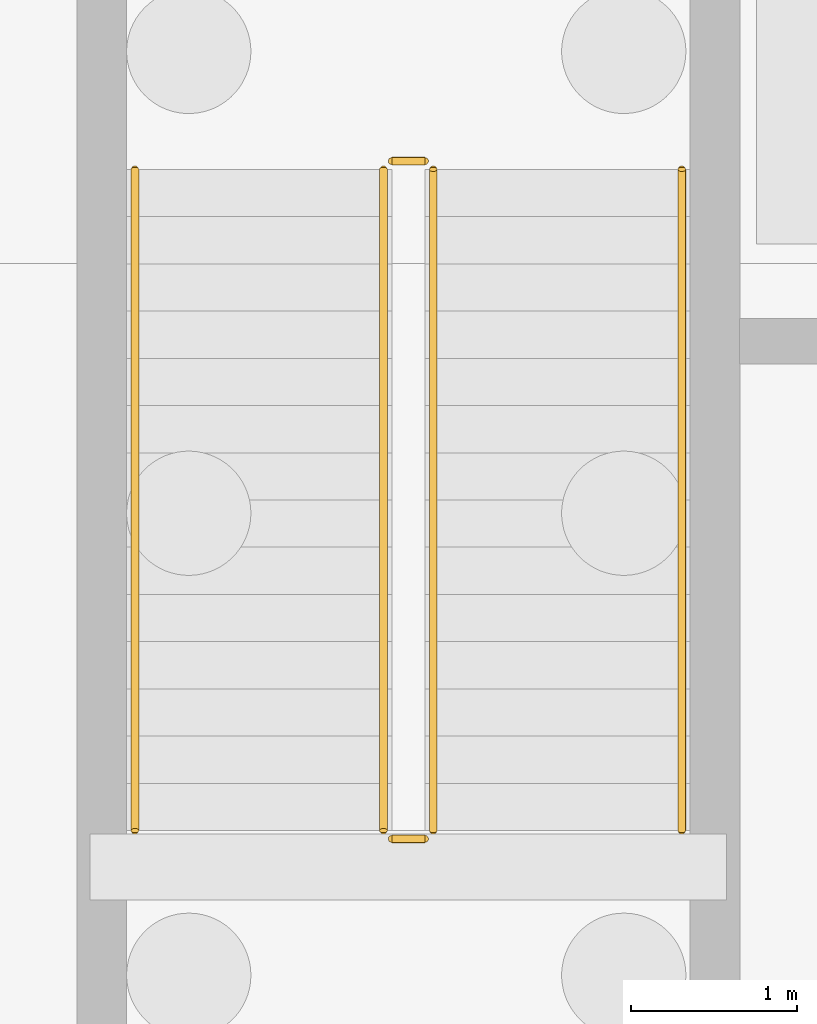
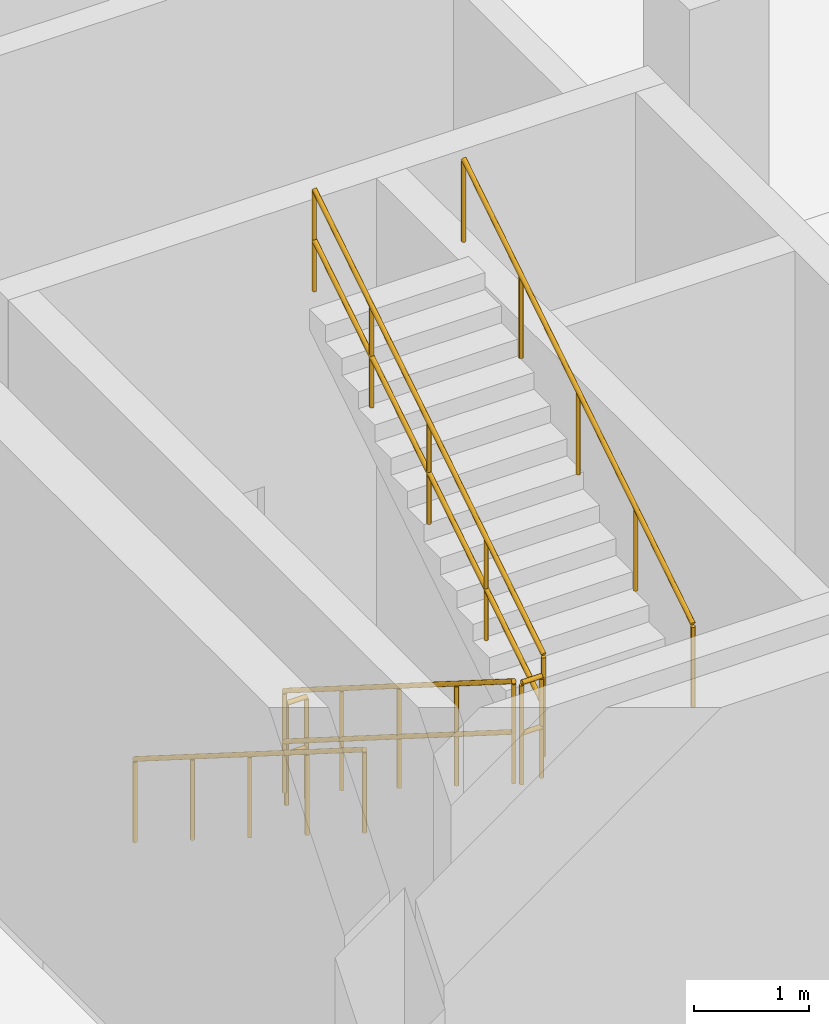
# One storey, part 16 of 18: 6 railings.
"""IFC4 building model written with IfcOpenShell, lengths in metres."""

from ifc_helpers import new_model, si_unit, direction, frame, origin, origin_2d, place, context, subcontext, project, spatial, circle, extrude, material, type_object, element, save


model = new_model("IFC4")

# Units and contexts
model_context = context("Model", 3, precision=1e-05, world=origin(), true_north=direction((0.0, 1.0)))
body_context = subcontext(model_context, "Body", "Model", "MODEL_VIEW")
ifc_project = project(units=[si_unit("LENGTHUNIT", "METRE"), si_unit("AREAUNIT", "SQUARE_METRE"), si_unit("VOLUMEUNIT", "CUBIC_METRE"), si_unit("PLANEANGLEUNIT", "RADIAN"), si_unit("MASSUNIT", "GRAM", prefix="KILO")], contexts=[model_context])

# Site, building, storey
site_placement = place(None, origin())
site = spatial("IfcSite", under=ifc_project, at=site_placement, CompositionType="ELEMENT")
building_placement = place(site_placement, origin())
building = spatial("IfcBuilding", under=site, at=building_placement, Name="Khurvash Pelagic Aquarium", CompositionType="ELEMENT")
storey_placement = place(building_placement, frame((0.0, 0.0, -5.39990234375)))
storey = spatial("IfcBuildingStorey", under=building, at=storey_placement, Name="B1", CompositionType="ELEMENT", Elevation=-5.39990234375)

# Railings
ifc_material_1 = material(Name="Powder-coated galvanised steel S355J2", Category="steel")
railing_type_1 = type_object("IfcRailingType", Name="GR-01", PredefinedType="GUARDRAIL", material=ifc_material_1)
railing_1_placement = place(storey_placement, frame((19.550048828125, 72.550048828125, 0.179931640625)))
element("IfcRailing", 1, at=railing_1_placement, inside=storey, type_object=railing_type_1, Name="B1 ST-05 stair guard 1", PredefinedType="GUARDRAIL", context=body_context, shape_type="SweptSolid", body=[
    extrude(circle(Radius=0.02392578125, at=origin_2d()), frame((0.0, 0.0, 1.076171875), z_axis=(0.0, -0.845486444383, 0.533996884227), x_axis=(1.0, 0.0, 0.0)), (0.0, 0.0, 1.0), 4.71923828125),
    extrude(circle(Radius=0.02392578125, at=origin_2d()), frame((0.0, 0.0, 0.5380859375), z_axis=(0.0, -0.845486444383, 0.533996884227), x_axis=(1.0, 0.0, 0.0)), (0.0, 0.0, 1.0), 4.71923828125),
    extrude(circle(Radius=0.02099609375, at=origin_2d()), origin(), (0.0, 0.0, 1.0), 1.052001953125),
    extrude(circle(Radius=0.02099609375, at=origin_2d()), frame((0.0, -0.99755859375, 0.6298828125)), (0.0, 0.0, 1.0), 1.052001953125),
    extrude(circle(Radius=0.02099609375, at=origin_2d()), frame((0.0, -1.9951171875, 1.260009765625)), (0.0, 0.0, 1.0), 1.052001953125),
    extrude(circle(Radius=0.02099609375, at=origin_2d()), frame((0.0, -2.992431640625, 1.89013671875)), (0.0, 0.0, 1.0), 1.052001953125),
    extrude(circle(Radius=0.02099609375, at=origin_2d()), frame((0.0, -3.989990234375, 2.52001953125)), (0.0, 0.0, 1.0), 1.052001953125),
])
railing_2_placement = place(storey_placement, frame((19.60009765625, 68.510009765625, 2.699951171875)))
element("IfcRailing", 2, at=railing_2_placement, inside=storey, type_object=railing_type_1, Name="B1 ST-05 stair guard 2", PredefinedType="GUARDRAIL", context=body_context, shape_type="SweptSolid", body=[
    extrude(circle(Radius=0.02392578125, at=origin_2d()), frame((0.0, 0.0, 1.076171875), z_axis=(1.0, 0.0, 0.0), x_axis=(0.0, 1.0, 0.0)), (0.0, 0.0, 1.0), 0.199951171875),
    extrude(circle(Radius=0.02392578125, at=origin_2d()), frame((0.0, 0.0, 0.5380859375), z_axis=(1.0, 0.0, 0.0), x_axis=(0.0, 1.0, 0.0)), (0.0, 0.0, 1.0), 0.199951171875),
    extrude(circle(Radius=0.02099609375, at=origin_2d()), origin(), (0.0, 0.0, 1.0), 1.052001953125),
    extrude(circle(Radius=0.02099609375, at=origin_2d()), frame((0.199951171875, 0.0, 0.0)), (0.0, 0.0, 1.0), 1.052001953125),
])
railing_3_placement = place(storey_placement, frame((19.85009765625, 68.56005859375, 2.8798828125)))
element("IfcRailing", 3, at=railing_3_placement, inside=storey, type_object=railing_type_1, Name="B1 ST-05 stair guard 3", PredefinedType="GUARDRAIL", context=body_context, shape_type="SweptSolid", body=[
    extrude(circle(Radius=0.02392578125, at=origin_2d()), frame((0.0, 0.0, 1.076171875), z_axis=(0.0, 0.845486444383, 0.533996884227), x_axis=(-1.0, 0.0, 0.0)), (0.0, 0.0, 1.0), 4.71923828125),
    extrude(circle(Radius=0.02392578125, at=origin_2d()), frame((0.0, 0.0, 0.5380859375), z_axis=(0.0, 0.845486444383, 0.533996884227), x_axis=(-1.0, 0.0, 0.0)), (0.0, 0.0, 1.0), 4.71923828125),
    extrude(circle(Radius=0.02099609375, at=origin_2d()), origin(), (0.0, 0.0, 1.0), 1.052001953125),
    extrude(circle(Radius=0.02099609375, at=origin_2d()), frame((0.0, 0.99755859375, 0.6298828125)), (0.0, 0.0, 1.0), 1.052001953125),
    extrude(circle(Radius=0.02099609375, at=origin_2d()), frame((0.0, 1.9951171875, 1.260009765625)), (0.0, 0.0, 1.0), 1.052001953125),
    extrude(circle(Radius=0.02099609375, at=origin_2d()), frame((0.0, 2.992431640625, 1.89013671875)), (0.0, 0.0, 1.0), 1.052001953125),
    extrude(circle(Radius=0.02099609375, at=origin_2d()), frame((0.0, 3.989990234375, 2.52001953125)), (0.0, 0.0, 1.0), 1.052001953125),
])
railing_4_placement = place(storey_placement, frame((19.60009765625, 72.60009765625, 0.0)))
element("IfcRailing", 4, at=railing_4_placement, inside=storey, type_object=railing_type_1, Name="B1 ST-05 stair guard 4", PredefinedType="GUARDRAIL", context=body_context, shape_type="SweptSolid", body=[
    extrude(circle(Radius=0.02392578125, at=origin_2d()), frame((0.0, 0.0, 1.076171875), z_axis=(1.0, 0.0, 0.0), x_axis=(0.0, 1.0, 0.0)), (0.0, 0.0, 1.0), 0.199951171875),
    extrude(circle(Radius=0.02392578125, at=origin_2d()), frame((0.0, 0.0, 0.5380859375), z_axis=(1.0, 0.0, 0.0), x_axis=(0.0, 1.0, 0.0)), (0.0, 0.0, 1.0), 0.199951171875),
    extrude(circle(Radius=0.02099609375, at=origin_2d()), origin(), (0.0, 0.0, 1.0), 1.052001953125),
    extrude(circle(Radius=0.02099609375, at=origin_2d()), frame((0.199951171875, 0.0, 0.0)), (0.0, 0.0, 1.0), 1.052001953125),
])
ifc_material_2 = material(Name="Brushed stainless steel 316", Category="steel")
railing_type_2 = type_object("IfcRailingType", Name="HR-01", PredefinedType="HANDRAIL", material=ifc_material_2)
railing_5_placement = place(storey_placement, frame((18.050048828125, 72.550048828125, 0.179931640625)))
element("IfcRailing", 5, at=railing_5_placement, inside=storey, type_object=railing_type_2, Name="B1 ST-05 stair handrail 1", PredefinedType="HANDRAIL", context=body_context, shape_type="SweptSolid", body=[
    extrude(circle(Radius=0.02392578125, at=origin_2d()), frame((0.0, 0.0, 0.8759765625), z_axis=(0.0, -0.845486444383, 0.533996884227), x_axis=(1.0, 0.0, 0.0)), (0.0, 0.0, 1.0), 4.71923828125),
    extrude(circle(Radius=0.02099609375, at=origin_2d()), origin(), (0.0, 0.0, 1.0), 0.851806640625),
    extrude(circle(Radius=0.02099609375, at=origin_2d()), frame((0.0, -0.99755859375, 0.6298828125)), (0.0, 0.0, 1.0), 0.851806640625),
    extrude(circle(Radius=0.02099609375, at=origin_2d()), frame((0.0, -1.9951171875, 1.260009765625)), (0.0, 0.0, 1.0), 0.851806640625),
    extrude(circle(Radius=0.02099609375, at=origin_2d()), frame((0.0, -2.992431640625, 1.89013671875)), (0.0, 0.0, 1.0), 0.851806640625),
    extrude(circle(Radius=0.02099609375, at=origin_2d()), frame((0.0, -3.989990234375, 2.52001953125)), (0.0, 0.0, 1.0), 0.851806640625),
])
railing_6_placement = place(storey_placement, frame((21.35009765625, 68.56005859375, 2.8798828125)))
element("IfcRailing", 6, at=railing_6_placement, inside=storey, type_object=railing_type_2, Name="B1 ST-05 stair handrail 2", PredefinedType="HANDRAIL", context=body_context, shape_type="SweptSolid", body=[
    extrude(circle(Radius=0.02392578125, at=origin_2d()), frame((0.0, 0.0, 0.8759765625), z_axis=(0.0, 0.845486444383, 0.533996884227), x_axis=(-1.0, 0.0, 0.0)), (0.0, 0.0, 1.0), 4.71923828125),
    extrude(circle(Radius=0.02099609375, at=origin_2d()), origin(), (0.0, 0.0, 1.0), 0.851806640625),
    extrude(circle(Radius=0.02099609375, at=origin_2d()), frame((0.0, 0.99755859375, 0.6298828125)), (0.0, 0.0, 1.0), 0.851806640625),
    extrude(circle(Radius=0.02099609375, at=origin_2d()), frame((0.0, 1.9951171875, 1.260009765625)), (0.0, 0.0, 1.0), 0.851806640625),
    extrude(circle(Radius=0.02099609375, at=origin_2d()), frame((0.0, 2.992431640625, 1.89013671875)), (0.0, 0.0, 1.0), 0.851806640625),
    extrude(circle(Radius=0.02099609375, at=origin_2d()), frame((0.0, 3.989990234375, 2.52001953125)), (0.0, 0.0, 1.0), 0.851806640625),
])

save(model, "model.ifc")
